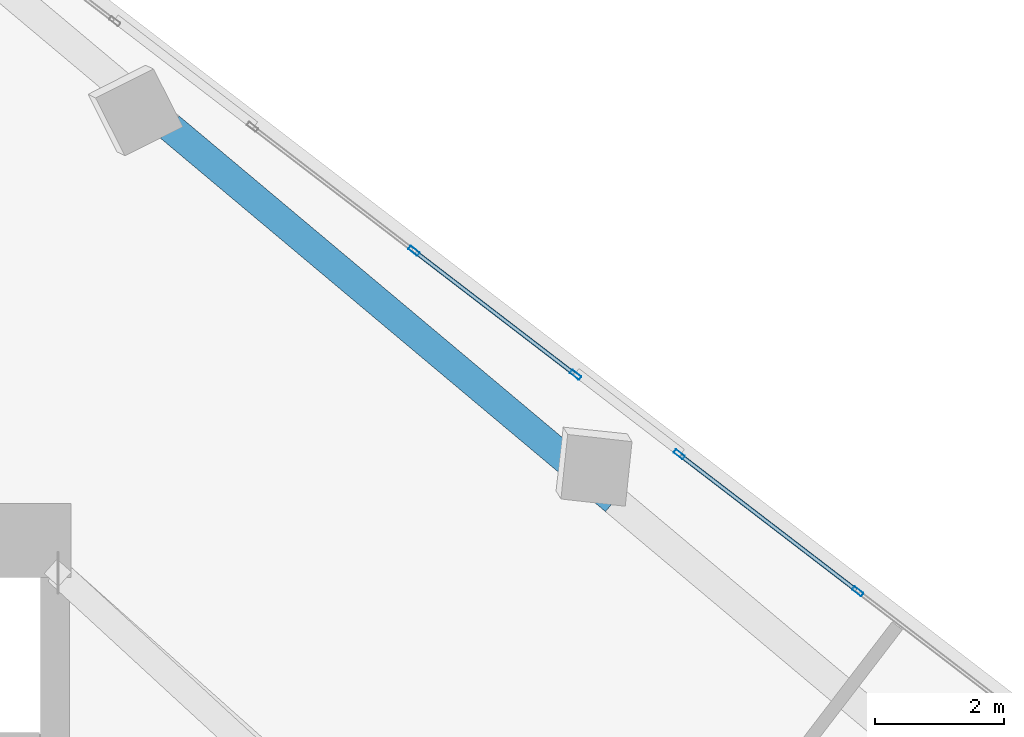
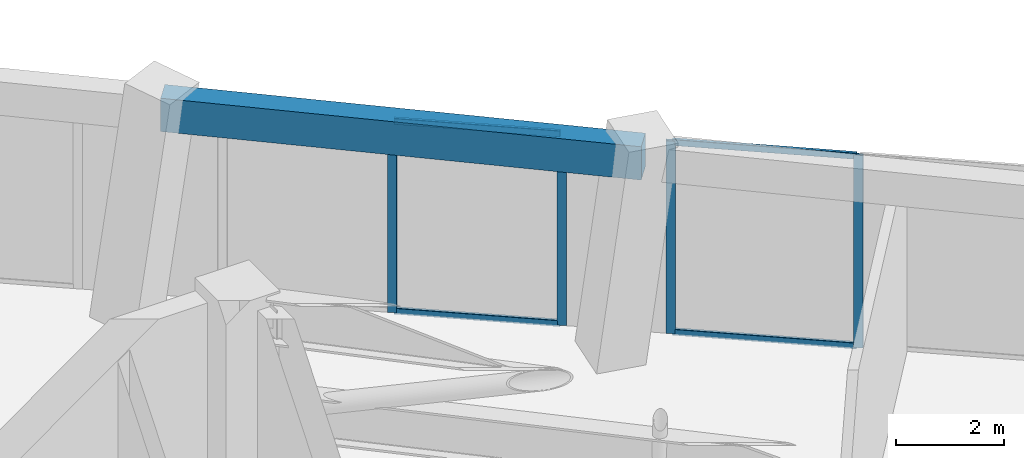
# One storey, part 15 of 22: 8 members, 1 beam, 2 elements without a shape of their own.
"""IFC4 building model written with IfcOpenShell, lengths in metres."""

from ifc_helpers import new_model, si_unit, direction, frame, origin, origin_2d, place, context, subcontext, project, spatial, rectangle, hollow_rectangle, extrude, source, transform, mapped, material, material_profile, profile_set, type_object, element, aggregate, save


model = new_model("IFC4")

# Units and contexts
model_context = context("Model", 3, precision=1e-05, world=origin(), true_north=direction((0.0, 1.0)))
body_context = subcontext(model_context, "Body", "Model", "MODEL_VIEW")
ifc_project = project(units=[si_unit("LENGTHUNIT", "METRE"), si_unit("AREAUNIT", "SQUARE_METRE"), si_unit("VOLUMEUNIT", "CUBIC_METRE"), si_unit("PLANEANGLEUNIT", "RADIAN"), si_unit("MASSUNIT", "GRAM", prefix="KILO")], contexts=[model_context])

# Site, building, storey
site_placement = place(None, origin())
site = spatial("IfcSite", under=ifc_project, at=site_placement, CompositionType="ELEMENT")
building_placement = place(site_placement, origin())
building = spatial("IfcBuilding", under=site, at=building_placement, Name="Torre Montelarca", CompositionType="ELEMENT")
storey_placement = place(building_placement, frame((0.0, 0.0, 209.800048828125)))
storey = spatial("IfcBuildingStorey", under=building, at=storey_placement, Name="L47", CompositionType="ELEMENT", Elevation=209.800048828125)

# Beam
ifc_material_1 = material(Name="Concrete C55/67", Category="concrete")
ifc_material_profile_1 = material_profile(ifc_material_1, rectangle(XDim=0.449951171875, YDim=0.75, at=origin_2d()), Name="RCB450X750", Category="concrete")
ifc_profile_set_1 = profile_set([ifc_material_profile_1], Name="Concrete C55/67")
beam_type = type_object("IfcBeamType", Name="BM-SP-RC750-EXT", PredefinedType="SPANDREL", material=ifc_profile_set_1)
shared_shape_1 = source(origin(), body_context, "Body", "SweptSolid", [
    extrude(rectangle(XDim=0.449951171875, YDim=0.75, at=origin_2d()), origin(), (0.0, 0.0, 1.0), 8.999755859375),
])
beam_placement = place(storey_placement, frame((28.55712890625, 45.855224609375, 4.744873046875), z_axis=(0.766048911017, -0.642782285015, 0.0), x_axis=(0.642782285015, 0.766048911017, 0.0)))
element("IfcBeam", 1, at=beam_placement, inside=storey, type_object=beam_type, Name="L47 Grid Girder X 18.0-27.0 at Y=47.1", PredefinedType="SPANDREL", context=body_context, shape_type="MappedRepresentation", body=[
    mapped(shared_shape_1, transform((0.0, 0.0, 0.0), scale=1.0)),
])

# Curtain wall, members
ifc_material_2 = material(Name="Insulated low-E laminated glass", Category="glass")
curtain_wall_type = type_object("IfcCurtainWallType", Name="CW-SYS-Z2", PredefinedType="USERDEFINED", material=ifc_material_2)
curtain_wall_1_placement = place(storey_placement, origin())
curtain_wall_1 = element("IfcCurtainWall", 2, at=curtain_wall_1_placement, inside=storey, type_object=curtain_wall_type, Name="L47 Curtain Wall Run CW-T3-L47-E08-B2", ObjectType="UNITISED GLAZING", PredefinedType="USERDEFINED")
ifc_material_3 = material(Name="Anodised aluminium AA 6063-T6", Category="aluminium")
ifc_material_profile_2 = material_profile(ifc_material_3, hollow_rectangle(XDim=0.06494140625, YDim=0.139892578125, WallThickness=0.00390625, InnerFilletRadius=0.00390625, OuterFilletRadius=0.008056640625, at=origin_2d()), Name="ALU65X140X4", Category="aluminium")
ifc_profile_set_2 = profile_set([ifc_material_profile_2], Name="Anodised aluminium AA 6063-T6")
member_type_1 = type_object("IfcMemberType", Name="CWT-ALU140", PredefinedType="USERDEFINED", material=ifc_profile_set_2)
shared_shape_2 = source(origin(), body_context, "Body", "SweptSolid", [
    extrude(hollow_rectangle(XDim=0.06494140625, YDim=0.139892578125, WallThickness=0.00390625, InnerFilletRadius=0.00390625, OuterFilletRadius=0.008056640625, at=origin_2d()), origin(), (0.0, 0.0, 1.0), 3.422607421875),
])
member_1_placement = place(storey_placement, frame((39.190673828125, 38.681396484375, 0.032470703125), z_axis=(-0.793360601133, 0.608751966379, 0.0), x_axis=(-0.608751966379, -0.793360601133, 0.0)))
member_1 = element("IfcMember", 3, at=member_1_placement, type_object=member_type_1, Name="CW transom 2.1", ObjectType="TRANSOM", PredefinedType="USERDEFINED", context=body_context, shape_type="MappedRepresentation", body=[
    mapped(shared_shape_2, transform((0.0, 0.0, 0.0), scale=1.0)),
])
member_2_placement = place(storey_placement, frame((39.190673828125, 38.681396484375, 4.302490234375), z_axis=(-0.793360601133, 0.608751966379, 0.0), x_axis=(-0.608751966379, -0.793360601133, 0.0)))
member_2 = element("IfcMember", 4, at=member_2_placement, type_object=member_type_1, Name="CW transom 2.2", ObjectType="TRANSOM", PredefinedType="USERDEFINED", context=body_context, shape_type="MappedRepresentation", body=[
    mapped(shared_shape_2, transform((0.0, 0.0, 0.0), scale=1.0)),
])

curtain_wall_2_placement = place(storey_placement, origin())
curtain_wall_2 = element("IfcCurtainWall", 5, at=curtain_wall_2_placement, inside=storey, type_object=curtain_wall_type, Name="L47 Curtain Wall Run CW-T3-L47-E08-B3", ObjectType="UNITISED GLAZING", PredefinedType="USERDEFINED")
shared_shape_3 = source(origin(), body_context, "Body", "SweptSolid", [
    extrude(hollow_rectangle(XDim=0.06494140625, YDim=0.139892578125, WallThickness=0.00390625, InnerFilletRadius=0.00390625, OuterFilletRadius=0.008056640625, at=origin_2d()), origin(), (0.0, 0.0, 1.0), 3.09033203125),
])
member_3_placement = place(storey_placement, frame((34.817138671875, 42.037109375, 0.032470703125), z_axis=(-0.793334171409, 0.608786409568, 0.0), x_axis=(-0.608786409568, -0.793334171409, 0.0)))
member_3 = element("IfcMember", 6, at=member_3_placement, type_object=member_type_1, Name="CW transom 1.1", ObjectType="TRANSOM", PredefinedType="USERDEFINED", context=body_context, shape_type="MappedRepresentation", body=[
    mapped(shared_shape_3, transform((0.0, 0.0, 0.0), scale=1.0)),
])
member_4_placement = place(storey_placement, frame((34.817138671875, 42.037109375, 4.302490234375), z_axis=(-0.793334171409, 0.608786409568, 0.0), x_axis=(-0.608786409568, -0.793334171409, 0.0)))
member_4 = element("IfcMember", 7, at=member_4_placement, type_object=member_type_1, Name="CW transom 1.2", ObjectType="TRANSOM", PredefinedType="USERDEFINED", context=body_context, shape_type="MappedRepresentation", body=[
    mapped(shared_shape_3, transform((0.0, 0.0, 0.0), scale=1.0)),
])

# Member
ifc_material_profile_3 = material_profile(ifc_material_3, hollow_rectangle(XDim=0.06494140625, YDim=0.179931640625, WallThickness=0.00390625, InnerFilletRadius=0.00390625, OuterFilletRadius=0.008056640625, at=origin_2d()), Name="ALU65X180X4", Category="aluminium")
ifc_profile_set_3 = profile_set([ifc_material_profile_3], Name="Anodised aluminium AA 6063-T6")
member_type_2 = type_object("IfcMemberType", Name="CWM-ALU180", PredefinedType="MULLION", material=ifc_profile_set_3)
shared_shape_4 = source(origin(), body_context, "Body", "SweptSolid", [
    extrude(hollow_rectangle(XDim=0.06494140625, YDim=0.179931640625, WallThickness=0.00390625, InnerFilletRadius=0.00390625, OuterFilletRadius=0.008056640625, at=origin_2d()), origin(), (0.0, 0.0, 1.0), 4.3349609375),
])
member_5_placement = place(storey_placement, frame((39.21630859375, 38.66162109375, 0.0), z_axis=(0.0, 0.0, 1.0), x_axis=(-0.608770551875, -0.793346339987, 0.0)))
member_5 = element("IfcMember", 8, at=member_5_placement, type_object=member_type_2, Name="CW mullion 2", PredefinedType="MULLION", context=body_context, shape_type="MappedRepresentation", body=[
    mapped(shared_shape_4, transform((0.0, 0.0, 0.0), scale=1.0)),
])

member_6_placement = place(storey_placement, frame((36.449462890625, 40.78466796875, 0.0), z_axis=(0.0, 0.0, 1.0), x_axis=(-0.608770551875, -0.793346339987, 0.0)))
member_6 = element("IfcMember", 9, at=member_6_placement, type_object=member_type_2, Name="CW mullion 3", PredefinedType="MULLION", context=body_context, shape_type="MappedRepresentation", body=[
    mapped(shared_shape_4, transform((0.0, 0.0, 0.0), scale=1.0)),
])

aggregate(curtain_wall_1, [member_5, member_6, member_1, member_2])

member_7_placement = place(storey_placement, frame((34.843017578125, 42.017333984375, 0.0), z_axis=(0.0, 0.0, 1.0), x_axis=(-0.608754508496, -0.793358650539, 0.0)))
member_7 = element("IfcMember", 10, at=member_7_placement, type_object=member_type_2, Name="CW mullion 1", PredefinedType="MULLION", context=body_context, shape_type="MappedRepresentation", body=[
    mapped(shared_shape_4, transform((0.0, 0.0, 0.0), scale=1.0)),
])

member_8_placement = place(storey_placement, frame((32.339599609375, 43.938232421875, 0.0), z_axis=(0.0, 0.0, 1.0), x_axis=(-0.608754508496, -0.793358650539, 0.0)))
member_8 = element("IfcMember", 11, at=member_8_placement, type_object=member_type_2, Name="CW mullion 2", PredefinedType="MULLION", context=body_context, shape_type="MappedRepresentation", body=[
    mapped(shared_shape_4, transform((0.0, 0.0, 0.0), scale=1.0)),
])

aggregate(curtain_wall_2, [member_7, member_8, member_3, member_4])

save(model, "model.ifc")
